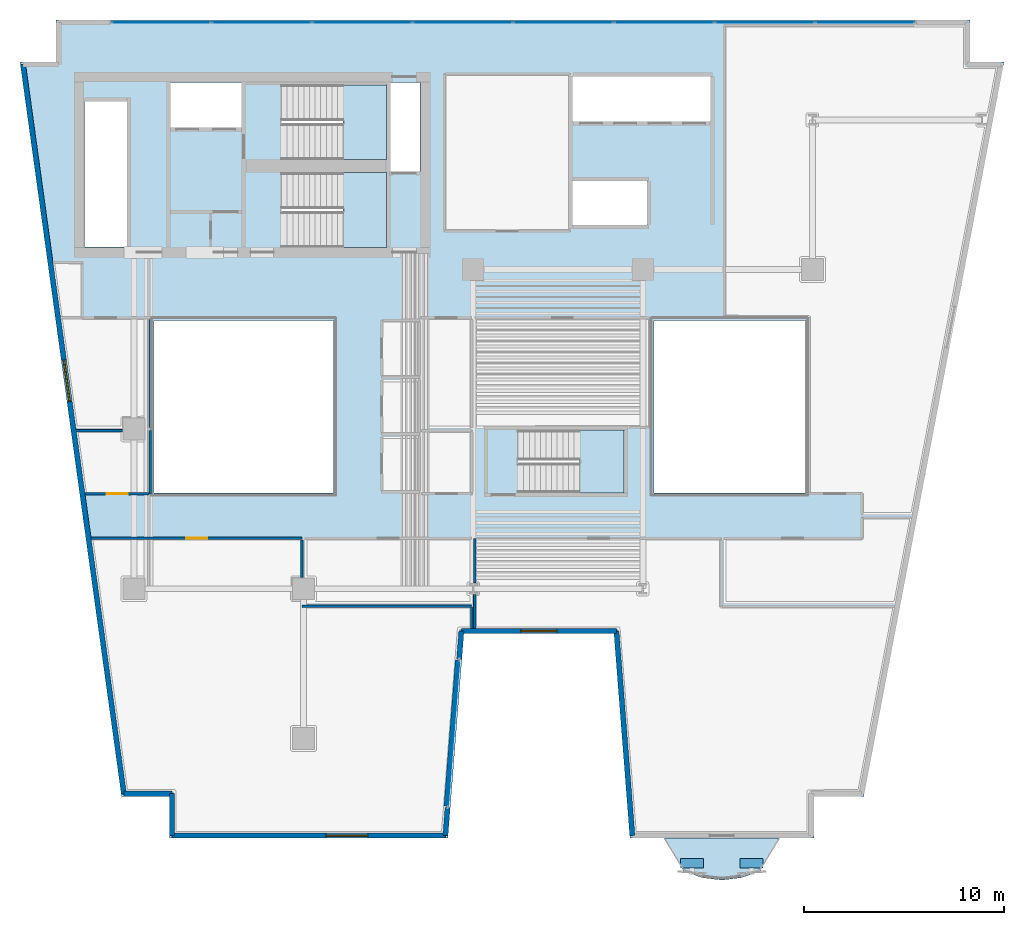
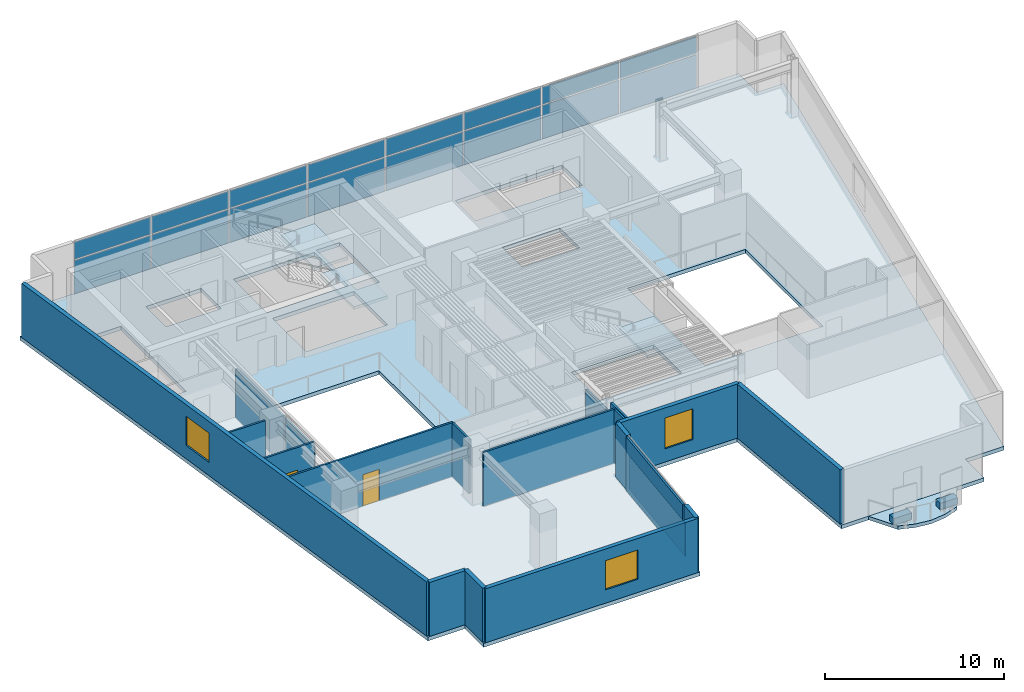
# One storey, part 5 of 12: 20 plates, 19 walls, 5 slabs, 3 windows, 2 doors, 5 openings, 5 elements without a shape of their own.
"""IFC4 building model written with IfcOpenShell, lengths in metres."""

from ifc_helpers import new_model, si_unit, direction, frame, frame_2d, origin, origin_2d, place, context, subcontext, project, spatial, polyline, rectangle, outline, extrude, material, layer, layer_set, type_object, element, fill, aggregate, save


model = new_model("IFC4")

# Units and contexts
model_context = context("Model", 3, precision=1e-05, world=origin(), true_north=direction((0.0, 1.0)))
body_context = subcontext(model_context, "Body", "Model", "MODEL_VIEW")
ifc_project = project(units=[si_unit("LENGTHUNIT", "METRE"), si_unit("AREAUNIT", "SQUARE_METRE"), si_unit("VOLUMEUNIT", "CUBIC_METRE"), si_unit("PLANEANGLEUNIT", "RADIAN"), si_unit("MASSUNIT", "GRAM", prefix="KILO")], contexts=[model_context])

# Site, building, storey
site_placement = place(None, origin())
site = spatial("IfcSite", under=ifc_project, at=site_placement, CompositionType="ELEMENT")
building_placement = place(site_placement, origin())
building = spatial("IfcBuilding", under=site, at=building_placement, Name="Caeloran Harvest Quay", CompositionType="ELEMENT")
storey_placement = place(building_placement, frame((0.0, 0.0, 119.300048828125)))
storey = spatial("IfcBuildingStorey", under=building, at=storey_placement, Name="L27", CompositionType="ELEMENT", Elevation=119.300048828125)

# Slab
ifc_material_1 = material(Name="Concrete C50/60", Category="concrete")
ifc_layer_1 = layer(ifc_material_1, 0.239990234375, Name="Concrete C50/60")
ifc_layer_set_1 = layer_set([ifc_layer_1], Name="Concrete C50/60")
slab_type_1 = type_object("IfcSlabType", Name="BALCONY-BL-240", PredefinedType="FLOOR", material=ifc_layer_set_1)
slab_1_placement = place(storey_placement, frame((0.0, 0.0, -0.239990234375)))
element("IfcSlab", 1, at=slab_1_placement, inside=storey, type_object=slab_type_1, Name="L27 Scalloped Cantilevered Planted Balcony Slab", PredefinedType="FLOOR", context=body_context, shape_type="SweptSolid", body=[
    extrude(outline(polyline([(39.869873046875, 0.839599609375), (38.913818359375, 0.51708984375), (37.95751953125, 0.39892578125), (37.001220703125, 0.51708984375), (36.045166015625, 0.839599609375), (35.100341796875, 2.5), (40.814697265625, 2.5), (39.869873046875, 0.839599609375)])), origin(), (0.0, 0.0, 1.0), 0.239990234375),
])

# Curtain wall, plates
ifc_material_2 = material(Name="Aluminium 6063-T6 and Low-E Glazing", Category="aluminium")
ifc_layer_2 = layer(ifc_material_2, 0.18994140625, Name="Aluminium 6063-T6 and Low-E Glazing")
ifc_layer_set_2 = layer_set([ifc_layer_2], Name="Aluminium 6063-T6 and Low-E Glazing")
curtain_wall_type = type_object("IfcCurtainWallType", Name="CW-SYS-CW-3", PredefinedType="USERDEFINED", material=ifc_layer_set_2)
curtain_wall_1_placement = place(storey_placement, origin())
curtain_wall_1 = element("IfcCurtainWall", 2, at=curtain_wall_1_placement, inside=storey, type_object=curtain_wall_type, Name="L27 Unitised Curtain Wall CW-3 Run 6", ObjectType="CURTAIN_WALL", PredefinedType="USERDEFINED")
ifc_material_3 = material(Name="Low-E Double Glazed Vision Glass Unit", Category="glass")
ifc_layer_3 = layer(ifc_material_3, 0.035888671875, Name="Low-E Double Glazed Vision Glass Unit")
ifc_layer_set_3 = layer_set([ifc_layer_3], Name="Low-E Double Glazed Vision Glass Unit")
plate_type_1 = type_object("IfcPlateType", Name="CW-VISION-PANEL", PredefinedType="CURTAIN_PANEL", material=ifc_layer_set_3)
plate_1_placement = place(storey_placement, frame((9.871337890625, 43.3701171875, 0.080078125), z_axis=(0.0, 0.0, 1.0), x_axis=(1.0, 0.0, 0.0)))
plate_1 = element("IfcPlate", 3, at=plate_1_placement, type_object=plate_type_1, Name="CW-3 panel 1.1", PredefinedType="CURTAIN_PANEL", context=body_context, shape_type="SweptSolid", body=[
    extrude(rectangle(XDim=4.922607421875, YDim=0.035888671875, at=origin_2d()), origin(), (0.0, 0.0, 1.0), 2.280029296875),
])
plate_2_placement = place(storey_placement, frame((9.871337890625, 43.3701171875, 2.43994140625), z_axis=(0.0, 0.0, 1.0), x_axis=(1.0, 0.0, 0.0)))
plate_2 = element("IfcPlate", 4, at=plate_2_placement, type_object=plate_type_1, Name="CW-3 panel 1.2", PredefinedType="CURTAIN_PANEL", context=body_context, shape_type="SweptSolid", body=[
    extrude(rectangle(XDim=4.922607421875, YDim=0.035888671875, at=origin_2d()), origin(), (0.0, 0.0, 1.0), 1.169921875),
])
plate_3_placement = place(storey_placement, frame((14.893798828125, 43.3701171875, 0.080078125), z_axis=(0.0, 0.0, 1.0), x_axis=(1.0, 0.0, 0.0)))
plate_3 = element("IfcPlate", 5, at=plate_3_placement, type_object=plate_type_1, Name="CW-3 panel 2.1", PredefinedType="CURTAIN_PANEL", context=body_context, shape_type="SweptSolid", body=[
    extrude(rectangle(XDim=4.96240234375, YDim=0.035888671875, at=origin_2d()), origin(), (0.0, 0.0, 1.0), 2.280029296875),
])
plate_4_placement = place(storey_placement, frame((14.893798828125, 43.3701171875, 2.43994140625), z_axis=(0.0, 0.0, 1.0), x_axis=(1.0, 0.0, 0.0)))
plate_4 = element("IfcPlate", 6, at=plate_4_placement, type_object=plate_type_1, Name="CW-3 panel 2.2", PredefinedType="CURTAIN_PANEL", context=body_context, shape_type="SweptSolid", body=[
    extrude(rectangle(XDim=4.96240234375, YDim=0.035888671875, at=origin_2d()), origin(), (0.0, 0.0, 1.0), 1.169921875),
])
plate_5_placement = place(storey_placement, frame((19.936279296875, 43.3701171875, 0.080078125), z_axis=(0.0, 0.0, 1.0), x_axis=(1.0, 0.0, 0.0)))
plate_5 = element("IfcPlate", 7, at=plate_5_placement, type_object=plate_type_1, Name="CW-3 panel 3.1", PredefinedType="CURTAIN_PANEL", context=body_context, shape_type="SweptSolid", body=[
    extrude(rectangle(XDim=4.96240234375, YDim=0.035888671875, at=origin_2d()), origin(), (0.0, 0.0, 1.0), 2.280029296875),
])
plate_6_placement = place(storey_placement, frame((19.936279296875, 43.3701171875, 2.43994140625), z_axis=(0.0, 0.0, 1.0), x_axis=(1.0, 0.0, 0.0)))
plate_6 = element("IfcPlate", 8, at=plate_6_placement, type_object=plate_type_1, Name="CW-3 panel 3.2", PredefinedType="CURTAIN_PANEL", context=body_context, shape_type="SweptSolid", body=[
    extrude(rectangle(XDim=4.96240234375, YDim=0.035888671875, at=origin_2d()), origin(), (0.0, 0.0, 1.0), 1.169921875),
])
plate_7_placement = place(storey_placement, frame((24.978759765625, 43.3701171875, 0.080078125), z_axis=(0.0, 0.0, 1.0), x_axis=(1.0, 0.0, 0.0)))
plate_7 = element("IfcPlate", 9, at=plate_7_placement, type_object=plate_type_1, Name="CW-3 panel 4.1", PredefinedType="CURTAIN_PANEL", context=body_context, shape_type="SweptSolid", body=[
    extrude(rectangle(XDim=4.96240234375, YDim=0.035888671875, at=origin_2d()), origin(), (0.0, 0.0, 1.0), 2.280029296875),
])
plate_8_placement = place(storey_placement, frame((24.978759765625, 43.3701171875, 2.43994140625), z_axis=(0.0, 0.0, 1.0), x_axis=(1.0, 0.0, 0.0)))
plate_8 = element("IfcPlate", 10, at=plate_8_placement, type_object=plate_type_1, Name="CW-3 panel 4.2", PredefinedType="CURTAIN_PANEL", context=body_context, shape_type="SweptSolid", body=[
    extrude(rectangle(XDim=4.96240234375, YDim=0.035888671875, at=origin_2d()), origin(), (0.0, 0.0, 1.0), 1.169921875),
])
plate_9_placement = place(storey_placement, frame((30.021240234375, 43.3701171875, 0.080078125), z_axis=(0.0, 0.0, 1.0), x_axis=(1.0, 0.0, 0.0)))
plate_9 = element("IfcPlate", 11, at=plate_9_placement, type_object=plate_type_1, Name="CW-3 panel 5.1", PredefinedType="CURTAIN_PANEL", context=body_context, shape_type="SweptSolid", body=[
    extrude(rectangle(XDim=4.96240234375, YDim=0.035888671875, at=origin_2d()), origin(), (0.0, 0.0, 1.0), 2.280029296875),
])
plate_10_placement = place(storey_placement, frame((30.021240234375, 43.3701171875, 2.43994140625), z_axis=(0.0, 0.0, 1.0), x_axis=(1.0, 0.0, 0.0)))
plate_10 = element("IfcPlate", 12, at=plate_10_placement, type_object=plate_type_1, Name="CW-3 panel 5.2", PredefinedType="CURTAIN_PANEL", context=body_context, shape_type="SweptSolid", body=[
    extrude(rectangle(XDim=4.96240234375, YDim=0.035888671875, at=origin_2d()), origin(), (0.0, 0.0, 1.0), 1.169921875),
])
plate_11_placement = place(storey_placement, frame((35.063720703125, 43.3701171875, 0.080078125), z_axis=(0.0, 0.0, 1.0), x_axis=(1.0, 0.0, 0.0)))
plate_11 = element("IfcPlate", 13, at=plate_11_placement, type_object=plate_type_1, Name="CW-3 panel 6.1", PredefinedType="CURTAIN_PANEL", context=body_context, shape_type="SweptSolid", body=[
    extrude(rectangle(XDim=4.96240234375, YDim=0.035888671875, at=origin_2d()), origin(), (0.0, 0.0, 1.0), 2.280029296875),
])
plate_12_placement = place(storey_placement, frame((35.063720703125, 43.3701171875, 2.43994140625), z_axis=(0.0, 0.0, 1.0), x_axis=(1.0, 0.0, 0.0)))
plate_12 = element("IfcPlate", 14, at=plate_12_placement, type_object=plate_type_1, Name="CW-3 panel 6.2", PredefinedType="CURTAIN_PANEL", context=body_context, shape_type="SweptSolid", body=[
    extrude(rectangle(XDim=4.96240234375, YDim=0.035888671875, at=origin_2d()), origin(), (0.0, 0.0, 1.0), 1.169921875),
])
plate_13_placement = place(storey_placement, frame((40.106201171875, 43.3701171875, 0.080078125), z_axis=(0.0, 0.0, 1.0), x_axis=(1.0, 0.0, 0.0)))
plate_13 = element("IfcPlate", 15, at=plate_13_placement, type_object=plate_type_1, Name="CW-3 panel 7.1", PredefinedType="CURTAIN_PANEL", context=body_context, shape_type="SweptSolid", body=[
    extrude(rectangle(XDim=4.96240234375, YDim=0.035888671875, at=origin_2d()), origin(), (0.0, 0.0, 1.0), 2.280029296875),
])
plate_14_placement = place(storey_placement, frame((40.106201171875, 43.3701171875, 2.43994140625), z_axis=(0.0, 0.0, 1.0), x_axis=(1.0, 0.0, 0.0)))
plate_14 = element("IfcPlate", 16, at=plate_14_placement, type_object=plate_type_1, Name="CW-3 panel 7.2", PredefinedType="CURTAIN_PANEL", context=body_context, shape_type="SweptSolid", body=[
    extrude(rectangle(XDim=4.96240234375, YDim=0.035888671875, at=origin_2d()), origin(), (0.0, 0.0, 1.0), 1.169921875),
])
plate_15_placement = place(storey_placement, frame((45.128662109375, 43.3701171875, 0.080078125), z_axis=(0.0, 0.0, 1.0), x_axis=(1.0, 0.0, 0.0)))
plate_15 = element("IfcPlate", 17, at=plate_15_placement, type_object=plate_type_1, Name="CW-3 panel 8.1", PredefinedType="CURTAIN_PANEL", context=body_context, shape_type="SweptSolid", body=[
    extrude(rectangle(XDim=4.922607421875, YDim=0.035888671875, at=origin_2d()), origin(), (0.0, 0.0, 1.0), 2.280029296875),
])
plate_16_placement = place(storey_placement, frame((45.128662109375, 43.3701171875, 2.43994140625), z_axis=(0.0, 0.0, 1.0), x_axis=(1.0, 0.0, 0.0)))
plate_16 = element("IfcPlate", 18, at=plate_16_placement, type_object=plate_type_1, Name="CW-3 panel 8.2", PredefinedType="CURTAIN_PANEL", context=body_context, shape_type="SweptSolid", body=[
    extrude(rectangle(XDim=4.922607421875, YDim=0.035888671875, at=origin_2d()), origin(), (0.0, 0.0, 1.0), 1.169921875),
])
aggregate(curtain_wall_1, [plate_1, plate_2, plate_3, plate_4, plate_5, plate_6, plate_7, plate_8, plate_9, plate_10, plate_11, plate_12, plate_13, plate_14, plate_15, plate_16])

curtain_wall_2_placement = place(storey_placement, origin())
curtain_wall_2 = element("IfcCurtainWall", 19, at=curtain_wall_2_placement, inside=storey, type_object=curtain_wall_type, Name="L27 Unitised Curtain Wall CW-3 Run 15", ObjectType="CURTAIN_WALL", PredefinedType="USERDEFINED")
plate_17_placement = place(storey_placement, frame((24.509765625, 7.7548828125, 0.080078125), z_axis=(0.0, 0.0, 1.0), x_axis=(-0.077821861046, -0.996967280277, 0.0)))
plate_17 = element("IfcPlate", 20, at=plate_17_placement, type_object=plate_type_1, Name="CW-3 panel 1.1", PredefinedType="CURTAIN_PANEL", context=body_context, shape_type="SweptSolid", body=[
    extrude(rectangle(XDim=7.3212890625, YDim=0.035888671875, at=origin_2d()), origin(), (0.0, 0.0, 1.0), 2.280029296875),
])
plate_18_placement = place(storey_placement, frame((24.509765625, 7.7548828125, 2.43994140625), z_axis=(0.0, 0.0, 1.0), x_axis=(-0.077821861046, -0.996967280277, 0.0)))
plate_18 = element("IfcPlate", 21, at=plate_18_placement, type_object=plate_type_1, Name="CW-3 panel 1.2", PredefinedType="CURTAIN_PANEL", context=body_context, shape_type="SweptSolid", body=[
    extrude(rectangle(XDim=7.3212890625, YDim=0.035888671875, at=origin_2d()), origin(), (0.0, 0.0, 1.0), 1.169921875),
])
aggregate(curtain_wall_2, [plate_17, plate_18])

# Plates
ifc_material_4 = material(Name="Precast concrete C50/60", Category="concrete")
ifc_layer_4 = layer(ifc_material_4, 0.449951171875, Name="Precast concrete C50/60")
ifc_layer_set_4 = layer_set([ifc_layer_4], Name="Precast concrete C50/60")
plate_type_2 = type_object("IfcPlateType", Name="PLANTER-TROUGH-450", PredefinedType="USERDEFINED", material=ifc_layer_set_4)
for number, where, z_axis, x_axis, name in (
    (22, (39.44921875, 1.246826171875, 0.0), (0.0, 0.0, 1.0), (1.0, 0.0, 0.0), "L27 Balcony Vertical-Greenery Precast PLANTER Trough 1"),
    (23, (36.4658203125, 1.246826171875, 0.0), (0.0, 0.0, 1.0), (1.0, 0.0, 0.0), "L27 Balcony Vertical-Greenery Precast PLANTER Trough 2"),
):
    element("IfcPlate", number, at=place(storey_placement, frame(where, z_axis=z_axis, x_axis=x_axis)), inside=storey, type_object=plate_type_2, Name=name, ObjectType="PLANTER", PredefinedType="USERDEFINED", context=body_context, shape_type="SweptSolid", body=[
        extrude(rectangle(XDim=1.14990234375, YDim=0.47998046875, at=origin_2d()), origin(), (0.0, 0.0, 1.0), 0.449951171875),
    ])

# Slab
ifc_layer_5 = layer(ifc_material_1, 0.260009765625, Name="Concrete C50/60")
ifc_layer_set_5 = layer_set([ifc_layer_5], Name="Concrete C50/60")
slab_type_2 = type_object("IfcSlabType", Name="SLAB-FS-260", PredefinedType="FLOOR", material=ifc_layer_set_5)
slab_2_placement = place(storey_placement, frame((0.0, 0.0, -0.260009765625)))
element("IfcSlab", 24, at=slab_2_placement, inside=storey, type_object=slab_type_2, Name="L27 Structural Floor Slab", PredefinedType="FLOOR", context=body_context, shape_type="SweptSolid", body=[
    extrude(outline(polyline([(10.27001953125, 2.5), (24.22998046875, 2.5), (25.030029296875, 12.75), (32.554931640625, 12.75), (33.35498046875, 2.5), (42.570068359375, 2.5), (42.570068359375, 4.60009765625), (45.071044921875, 4.60009765625), (52.09912109375, 41.39990234375), (50.39990234375, 41.39990234375), (50.39990234375, 43.5), (4.60009765625, 43.5), (4.60009765625, 41.39990234375), (2.790283203125, 41.39990234375), (7.879638671875, 4.60009765625), (10.27001953125, 4.60009765625), (10.27001953125, 2.5)]), holes=[polyline([(27.75, 19.800048828125), (27.75, 22.949951171875), (33.050048828125, 22.949951171875), (33.050048828125, 19.800048828125), (27.75, 19.800048828125)]), polyline([(18.5, 19.800048828125), (9.5, 19.800048828125), (9.5, 28.449951171875), (18.5, 28.449951171875), (18.5, 19.800048828125)]), polyline([(42.14990234375, 19.800048828125), (34.550048828125, 19.800048828125), (34.550048828125, 28.449951171875), (42.14990234375, 28.449951171875), (42.14990234375, 19.800048828125)]), polyline([(15.89990234375, 35.85009765625), (21.14990234375, 35.85009765625), (21.14990234375, 32.10009765625), (15.89990234375, 32.10009765625), (15.89990234375, 35.85009765625)]), polyline([(30.47998046875, 33.219970703125), (30.47998046875, 35.429931640625), (34.199951171875, 35.429931640625), (34.199951171875, 33.219970703125), (30.47998046875, 33.219970703125)]), polyline([(8.159912109375, 32.1201171875), (6.02001953125, 32.1201171875), (6.02001953125, 39.419921875), (8.159912109375, 39.419921875), (8.159912109375, 32.1201171875)]), polyline([(22.830078125, 35.919921875), (21.35009765625, 35.919921875), (21.35009765625, 40.3798828125), (22.830078125, 40.3798828125), (22.830078125, 35.919921875)]), polyline([(15.89990234375, 36.5), (15.89990234375, 40.25), (21.14990234375, 40.25), (21.14990234375, 36.5), (15.89990234375, 36.5)]), polyline([(10.320068359375, 38.1201171875), (10.320068359375, 40.3798828125), (13.89990234375, 40.3798828125), (13.89990234375, 38.1201171875), (10.320068359375, 38.1201171875)]), polyline([(30.47998046875, 38.419921875), (30.47998046875, 40.679931640625), (37.3798828125, 40.679931640625), (37.3798828125, 38.419921875), (30.47998046875, 38.419921875)])]), origin(), (0.0, 0.0, 1.0), 0.260009765625),
])

# Stair, slab
stair_type_1 = type_object("IfcStairType", Name="STAIR-STC-180", PredefinedType="HALF_TURN_STAIR", material=ifc_material_1)
stair_1_placement = place(storey_placement, origin())
stair_1 = element("IfcStair", 25, at=stair_1_placement, inside=storey, type_object=stair_type_1, Name="L27 Core Pressurized Exit Stair ST-C1", PredefinedType="HALF_TURN_STAIR")
ifc_layer_6 = layer(ifc_material_1, 0.219970703125, Name="Concrete C50/60")
ifc_layer_set_6 = layer_set([ifc_layer_6], Name="Concrete C50/60")
slab_type_3 = type_object("IfcSlabType", Name="STAIR-LANDING-220", PredefinedType="LANDING", material=ifc_layer_set_6)
slab_3_placement = place(storey_placement, frame((0.0, 0.0, 1.77490234375)))
slab_3 = element("IfcSlab", 26, at=slab_3_placement, type_object=slab_type_3, Name="ST-C1 landing 1", PredefinedType="LANDING", context=body_context, shape_type="SweptSolid", body=[
    extrude(outline(polyline([(18.97998046875, 36.5), (21.14990234375, 36.5), (21.14990234375, 40.25), (18.97998046875, 40.25), (18.97998046875, 36.5)])), origin(), (0.0, 0.0, 1.0), 0.199951171875),
])
aggregate(stair_1, [slab_3])

stair_2_placement = place(storey_placement, origin())
stair_2 = element("IfcStair", 27, at=stair_2_placement, inside=storey, type_object=stair_type_1, Name="L27 Core Pressurized Exit Stair ST-C2", PredefinedType="HALF_TURN_STAIR")
slab_4_placement = place(storey_placement, frame((0.0, 0.0, 1.77490234375)))
slab_4 = element("IfcSlab", 28, at=slab_4_placement, type_object=slab_type_3, Name="ST-C2 landing 1", PredefinedType="LANDING", context=body_context, shape_type="SweptSolid", body=[
    extrude(outline(polyline([(18.97998046875, 32.10009765625), (21.14990234375, 32.10009765625), (21.14990234375, 35.85009765625), (18.97998046875, 35.85009765625), (18.97998046875, 32.10009765625)])), origin(), (0.0, 0.0, 1.0), 0.199951171875),
])
aggregate(stair_2, [slab_4])

stair_type_2 = type_object("IfcStairType", Name="STAIR-STW-150", PredefinedType="HALF_TURN_STAIR", material=ifc_material_1)
stair_3_placement = place(storey_placement, origin())
stair_3 = element("IfcStair", 29, at=stair_3_placement, inside=storey, type_object=stair_type_2, Name="L27 East Wing Protected Exit Stair ST-W1", PredefinedType="HALF_TURN_STAIR")
slab_5_placement = place(storey_placement, frame((0.0, 0.0, 1.77490234375)))
slab_5 = element("IfcSlab", 30, at=slab_5_placement, type_object=slab_type_3, Name="ST-W1 landing 1", PredefinedType="LANDING", context=body_context, shape_type="SweptSolid", body=[
    extrude(outline(polyline([(30.830078125, 19.800048828125), (33.050048828125, 19.800048828125), (33.050048828125, 22.949951171875), (30.830078125, 22.949951171875), (30.830078125, 19.800048828125)])), origin(), (0.0, 0.0, 1.0), 0.199951171875),
])
aggregate(stair_3, [slab_5])

# Walls
ifc_layer_7 = layer(ifc_material_4, 0.260009765625, Name="Precast concrete C50/60")
ifc_layer_set_7 = layer_set([ifc_layer_7], Name="Precast concrete C50/60")
wall_type_1 = type_object("IfcWallType", Name="ENV-WALL-EW-260", PredefinedType="STANDARD", material=ifc_layer_set_7)
wall_1_placement = place(storey_placement, frame((10.39990234375, 2.6298828125, 0.0), z_axis=(0.0, 0.0, 1.0), x_axis=(0.0, 1.0, 0.0)))
element("IfcWall", 31, at=wall_1_placement, inside=storey, type_object=wall_type_1, Name="L27 Exterior Precast Concrete Facade Wall 1", PredefinedType="STANDARD", context=body_context, shape_type="SweptSolid", body=[
    extrude(rectangle(XDim=2.10009765625, YDim=0.260009765625, at=frame_2d((1.050048828125, 0.0))), origin(), (0.0, 0.0, 1.0), 3.68994140625),
])
wall_2_placement = place(storey_placement, frame((10.39990234375, 4.72998046875, 0.0), z_axis=(0.0, 0.0, 1.0), x_axis=(-1.0, 0.0, 0.0)))
element("IfcWall", 32, at=wall_2_placement, inside=storey, type_object=wall_type_1, Name="L27 Exterior Precast Concrete Facade Wall 2", PredefinedType="STANDARD", context=body_context, shape_type="SweptSolid", body=[
    extrude(rectangle(XDim=2.406982421875, YDim=0.260009765625, at=frame_2d((1.20361328125, 0.0))), origin(), (0.0, 0.0, 1.0), 3.68994140625),
])

# Wall, opening, window
wall_3_placement = place(storey_placement, frame((7.992919921875, 4.72998046875, 0.0), z_axis=(0.0, 0.0, 1.0), x_axis=(-0.136989009016, 0.990572567462, 0.0)))
wall_3 = element("IfcWall", 33, at=wall_3_placement, inside=storey, type_object=wall_type_1, Name="L27 Exterior Precast Concrete Facade Wall 3", PredefinedType="STANDARD", context=body_context, shape_type="SweptSolid", body=[
    extrude(rectangle(XDim=36.8876953125, YDim=0.260009765625, at=frame_2d((18.44384765625, 0.0))), origin(), (0.0, 0.0, 1.0), 3.68994140625),
])
opening_1_placement = place(wall_3_placement, frame((19.8388671875, 0.0, 0.89990234375)))
opening_1 = element("IfcOpeningElement", 34, at=opening_1_placement, cuts=wall_3, Name="Opening W-06", PredefinedType="OPENING", context=body_context, shape_type="SweptSolid", body=[
    extrude(rectangle(XDim=2.10009765625, YDim=2.0, at=frame_2d((1.050048828125, 1.0))), frame((0.0, 0.14013671875, 0.0), z_axis=(0.0, -1.0, 0.0), x_axis=(1.0, 0.0, 0.0)), (0.0, 0.0, 1.0), 0.280029296875),
])
ifc_material_5 = material(Name="Aluminium-Framed Low-E Laminated Glass", Category="aluminium")
window_type_1 = type_object("IfcWindowType", Name="WIN-W-06", PartitioningType="DOUBLE_PANEL_VERTICAL", PredefinedType="WINDOW", material=ifc_material_5)
window_1_placement = place(opening_1_placement, origin())
window_1 = element("IfcWindow", 35, at=window_1_placement, inside=storey, type_object=window_type_1, Name="L27 Facade Punched Window W-06", OverallHeight=2.0, OverallWidth=2.10009765625, PartitioningType="DOUBLE_PANEL_VERTICAL", PredefinedType="WINDOW", context=body_context, shape_type="SweptSolid", body=[
    extrude(rectangle(XDim=2.10009765625, YDim=2.0, at=frame_2d((1.050048828125, 1.0))), frame((0.0, 0.030029296875, 0.0), z_axis=(0.0, -1.0, 0.0), x_axis=(1.0, 0.0, 0.0)), (0.0, 0.0, 1.0), 0.06005859375),
])
fill(opening_1, window_1)

# Wall
wall_4_placement = place(storey_placement, frame((33.47509765625, 2.6298828125, 0.0), z_axis=(0.0, 0.0, 1.0), x_axis=(-0.077793257511, 0.996969512616, 0.0)))
element("IfcWall", 36, at=wall_4_placement, inside=storey, type_object=wall_type_1, Name="L27 Exterior Precast Concrete Facade Wall 13", PredefinedType="STANDARD", context=body_context, shape_type="SweptSolid", body=[
    extrude(rectangle(XDim=10.28125, YDim=0.260009765625, at=frame_2d((5.140625, 0.0))), origin(), (0.0, 0.0, 1.0), 3.68994140625),
])

# Wall, opening, window
wall_5_placement = place(storey_placement, frame((32.67529296875, 12.8798828125, 0.0), z_axis=(0.0, 0.0, 1.0), x_axis=(-1.0, 0.0, 0.0)))
wall_5 = element("IfcWall", 37, at=wall_5_placement, inside=storey, type_object=wall_type_1, Name="L27 Exterior Precast Concrete Facade Wall 14", PredefinedType="STANDARD", context=body_context, shape_type="SweptSolid", body=[
    extrude(rectangle(XDim=7.765380859375, YDim=0.260009765625, at=frame_2d((3.8828125, 0.0))), origin(), (0.0, 0.0, 1.0), 3.68994140625),
])
opening_2_placement = place(wall_5_placement, frame((2.98291015625, 0.0, 0.89990234375)))
opening_2 = element("IfcOpeningElement", 38, at=opening_2_placement, cuts=wall_5, Name="Opening W-01", PredefinedType="OPENING", context=body_context, shape_type="SweptSolid", body=[
    extrude(rectangle(XDim=1.800048828125, YDim=2.10009765625, at=frame_2d((0.89990234375, 1.050048828125))), frame((0.0, 0.14013671875, 0.0), z_axis=(0.0, -1.0, 0.0), x_axis=(1.0, 0.0, 0.0)), (0.0, 0.0, 1.0), 0.280029296875),
])
window_type_2 = type_object("IfcWindowType", Name="WIN-W-01", PartitioningType="SINGLE_PANEL", PredefinedType="WINDOW", material=ifc_material_5)
window_2_placement = place(opening_2_placement, origin())
window_2 = element("IfcWindow", 39, at=window_2_placement, inside=storey, type_object=window_type_2, Name="L27 Facade Punched Window W-01", OverallHeight=2.10009765625, OverallWidth=1.800048828125, PartitioningType="SINGLE_PANEL", PredefinedType="WINDOW", context=body_context, shape_type="SweptSolid", body=[
    extrude(rectangle(XDim=1.800048828125, YDim=2.10009765625, at=frame_2d((0.89990234375, 1.050048828125))), frame((0.0, 0.030029296875, 0.0), z_axis=(0.0, -1.0, 0.0), x_axis=(1.0, 0.0, 0.0)), (0.0, 0.0, 1.0), 0.06005859375),
])
fill(opening_2, window_2)

# Walls
for number, where, z_axis, x_axis, name in (
    (40, (24.909912109375, 12.8798828125, 0.0), (0.0, 0.0, 1.0), (-0.077949956455, -0.996957273051, 0.0), "L27 Exterior Facade Corner Pier Wall 15A"),
    (41, (24.21875, 4.025634765625, 0.0), (0.0, 0.0, 1.0), (-0.077776627829, -0.996970810086, 0.0), "L27 Exterior Facade Corner Pier Wall 15B"),
):
    element("IfcWall", number, at=place(storey_placement, frame(where, z_axis=z_axis, x_axis=x_axis)), inside=storey, type_object=wall_type_1, Name=name, PredefinedType="STANDARD", context=body_context, shape_type="SweptSolid", body=[
        extrude(rectangle(XDim=1.39990234375, YDim=0.260009765625, at=frame_2d((0.699951171875, 0.0))), origin(), (0.0, 0.0, 1.0), 3.68994140625),
    ])

# Wall, opening, window
wall_6_placement = place(storey_placement, frame((24.10986328125, 2.6298828125, 0.0), z_axis=(0.0, 0.0, 1.0), x_axis=(-1.0, 0.0, 0.0)))
wall_6 = element("IfcWall", 42, at=wall_6_placement, inside=storey, type_object=wall_type_1, Name="L27 Exterior Precast Concrete Facade Wall 16", PredefinedType="STANDARD", context=body_context, shape_type="SweptSolid", body=[
    extrude(rectangle(XDim=13.7099609375, YDim=0.260009765625, at=frame_2d((6.85498046875, 0.0))), origin(), (0.0, 0.0, 1.0), 3.68994140625),
])
opening_3_placement = place(wall_6_placement, frame((3.885986328125, 0.0, 0.89990234375)))
opening_3 = element("IfcOpeningElement", 43, at=opening_3_placement, cuts=wall_6, Name="Opening W-06", PredefinedType="OPENING", context=body_context, shape_type="SweptSolid", body=[
    extrude(rectangle(XDim=2.10009765625, YDim=2.0, at=frame_2d((1.050048828125, 1.0))), frame((0.0, 0.14013671875, 0.0), z_axis=(0.0, -1.0, 0.0), x_axis=(1.0, 0.0, 0.0)), (0.0, 0.0, 1.0), 0.280029296875),
])
window_3_placement = place(opening_3_placement, origin())
window_3 = element("IfcWindow", 44, at=window_3_placement, inside=storey, type_object=window_type_1, Name="L27 Facade Punched Window W-06", OverallHeight=2.0, OverallWidth=2.10009765625, PartitioningType="DOUBLE_PANEL_VERTICAL", PredefinedType="WINDOW", context=body_context, shape_type="SweptSolid", body=[
    extrude(rectangle(XDim=2.10009765625, YDim=2.0, at=frame_2d((1.050048828125, 1.0))), frame((0.0, 0.030029296875, 0.0), z_axis=(0.0, -1.0, 0.0), x_axis=(1.0, 0.0, 0.0)), (0.0, 0.0, 1.0), 0.06005859375),
])
fill(opening_3, window_3)

# Wall, opening, door
ifc_material_6 = material(Name="Twin-Stud Mineral-Wool Acoustic Gypsum Partition", Category="gypsum")
ifc_layer_8 = layer(ifc_material_6, 0.125, Name="Twin-Stud Mineral-Wool Acoustic Gypsum Partition")
ifc_layer_set_8 = layer_set([ifc_layer_8], Name="Twin-Stud Mineral-Wool Acoustic Gypsum Partition")
wall_type_2 = type_object("IfcWallType", Name="INT-WALL-PW-125", PredefinedType="PARTITIONING", material=ifc_layer_set_8)
wall_7_placement = place(storey_placement, frame((6.3603515625, 17.52001953125, 0.0), z_axis=(0.0, 0.0, 1.0), x_axis=(1.0, 0.0, 0.0)))
wall_7 = element("IfcWall", 45, at=wall_7_placement, inside=storey, type_object=wall_type_2, Name="Agri-Robotics Open Research Workspace Partition Wall", PredefinedType="PARTITIONING", context=body_context, shape_type="SweptSolid", body=[
    extrude(rectangle(XDim=10.5595703125, YDim=0.125, at=frame_2d((5.27978515625, 0.0))), origin(), (0.0, 0.0, 1.0), 3.68994140625),
])
opening_4_placement = place(wall_7_placement, frame((4.7548828125, 0.0, 0.0)))
opening_4 = element("IfcOpeningElement", 46, at=opening_4_placement, cuts=wall_7, Name="Opening ID-03", PredefinedType="OPENING", context=body_context, shape_type="SweptSolid", body=[
    extrude(rectangle(XDim=1.050048828125, YDim=2.14990234375, at=frame_2d((0.52490234375, 1.074951171875))), frame((0.0, 0.072509765625, 0.0), z_axis=(0.0, -1.0, 0.0), x_axis=(1.0, 0.0, 0.0)), (0.0, 0.0, 1.0), 0.14501953125),
])
ifc_material_7 = material(Name="FSC Solid-Core Oak Timber Leaf", Category="wood")
door_type = type_object("IfcDoorType", Name="INTDOOR-ID-03", OperationType="NOTDEFINED", PredefinedType="DOOR", material=ifc_material_7)
door_1_placement = place(opening_4_placement, origin())
door_1 = element("IfcDoor", 47, at=door_1_placement, inside=storey, type_object=door_type, Name="Agri-Robotics Open Research Workspace Access Door", OperationType="SINGLE_SWING_LEFT", OverallHeight=2.14990234375, OverallWidth=1.050048828125, PredefinedType="DOOR", context=body_context, shape_type="SweptSolid", body=[
    extrude(rectangle(XDim=1.050048828125, YDim=2.14990234375, at=frame_2d((0.52490234375, 1.074951171875))), frame((0.0, 0.02490234375, 0.0), z_axis=(0.0, -1.0, 0.0), x_axis=(1.0, 0.0, 0.0)), (0.0, 0.0, 1.0), 0.050048828125),
])
fill(opening_4, door_1)

# Walls
wall_8_placement = place(storey_placement, frame((16.919921875, 17.452392578125, 0.0), z_axis=(0.0, 0.0, 1.0), x_axis=(0.0, -1.0, 0.0)))
element("IfcWall", 48, at=wall_8_placement, inside=storey, type_object=wall_type_2, Name="Agri-Robotics Open Research Workspace Partition Wall", PredefinedType="PARTITIONING", context=body_context, shape_type="SweptSolid", body=[
    extrude(rectangle(XDim=1.87744140625, YDim=0.125, at=frame_2d((0.938720703125, 0.0))), origin(), (0.0, 0.0, 1.0), 3.68994140625),
])
wall_9_placement = place(storey_placement, frame((16.919921875, 14.1201171875, 0.0), z_axis=(0.0, 0.0, 1.0), x_axis=(1.0, 0.0, 0.0)))
element("IfcWall", 49, at=wall_9_placement, inside=storey, type_object=wall_type_2, Name="Agri-Robotics Open Research Workspace Partition Wall", PredefinedType="PARTITIONING", context=body_context, shape_type="SweptSolid", body=[
    extrude(rectangle(XDim=8.5, YDim=0.125, at=frame_2d((4.25, 0.0))), origin(), (0.0, 0.0, 1.0), 3.68994140625),
])
wall_10_placement = place(storey_placement, frame((25.419921875, 14.052490234375, 0.0), z_axis=(0.0, 0.0, 1.0), x_axis=(0.0, -1.0, 0.0)))
element("IfcWall", 50, at=wall_10_placement, inside=storey, type_object=wall_type_2, Name="Agri-Robotics Open Research Workspace Partition Wall", PredefinedType="PARTITIONING", context=body_context, shape_type="SweptSolid", body=[
    extrude(rectangle(XDim=1.03759765625, YDim=0.125, at=frame_2d((0.518798828125, 0.0))), origin(), (0.0, 0.0, 1.0), 3.68994140625),
])
wall_11_placement = place(storey_placement, frame((24.665771484375, 11.419921875, 0.0), z_axis=(0.0, 0.0, 1.0), x_axis=(-0.077816821526, -0.996967673642, 0.0)))
element("IfcWall", 51, at=wall_11_placement, inside=storey, type_object=wall_type_2, Name="Agri-Robotics Open Research Workspace Partition Wall", PredefinedType="PARTITIONING", context=body_context, shape_type="SweptSolid", body=[
    extrude(rectangle(XDim=7.33203125, YDim=0.125, at=frame_2d((3.666015625, 0.0))), origin(), (0.0, 0.0, 1.0), 3.68994140625),
])
wall_12_placement = place(storey_placement, frame((25.580078125, 13.014892578125, 0.0), z_axis=(0.0, 0.0, 1.0), x_axis=(0.0, 1.0, 0.0)))
element("IfcWall", 52, at=wall_12_placement, inside=storey, type_object=wall_type_2, Name="Crop Genomics Wet Laboratory Partition Wall", PredefinedType="PARTITIONING", context=body_context, shape_type="SweptSolid", body=[
    extrude(rectangle(XDim=1.703125, YDim=0.125, at=frame_2d((0.8515625, 0.0))), origin(), (0.0, 0.0, 1.0), 3.68994140625),
])
wall_13_placement = place(storey_placement, frame((25.580078125, 15.281982421875, 0.0), z_axis=(0.0, 0.0, 1.0), x_axis=(0.0, 1.0, 0.0)))
element("IfcWall", 53, at=wall_13_placement, inside=storey, type_object=wall_type_2, Name="Crop Genomics Wet Laboratory Partition Wall", PredefinedType="PARTITIONING", context=body_context, shape_type="SweptSolid", body=[
    extrude(rectangle(XDim=2.238037109375, YDim=0.125, at=frame_2d((1.119140625, 0.0))), origin(), (0.0, 0.0, 1.0), 2.875),
])
wall_14_placement = place(storey_placement, frame((9.320068359375, 22.919921875, 0.0), z_axis=(0.0, 0.0, 1.0), x_axis=(0.0, -1.0, 0.0)))
element("IfcWall", 54, at=wall_14_placement, inside=storey, type_object=wall_type_2, Name="Collaborators Tea Lounge Partition Wall", PredefinedType="PARTITIONING", context=body_context, shape_type="SweptSolid", body=[
    extrude(rectangle(XDim=3.169921875, YDim=0.125, at=frame_2d((1.5849609375, 0.0))), origin(), (0.0, 0.0, 1.0), 3.31494140625),
])

# Wall, opening, door
wall_15_placement = place(storey_placement, frame((9.25244140625, 19.75, 0.0), z_axis=(0.0, 0.0, 1.0), x_axis=(-1.0, 0.0, 0.0)))
wall_15 = element("IfcWall", 55, at=wall_15_placement, inside=storey, type_object=wall_type_2, Name="Collaborators Tea Lounge Partition Wall", PredefinedType="PARTITIONING", context=body_context, shape_type="SweptSolid", body=[
    extrude(rectangle(XDim=3.200439453125, YDim=0.125, at=frame_2d((1.60009765625, 0.0))), origin(), (0.0, 0.0, 1.0), 3.68994140625),
])
opening_5_placement = place(wall_15_placement, frame((1.0751953125, 0.0, 0.0)))
opening_5 = element("IfcOpeningElement", 56, at=opening_5_placement, cuts=wall_15, Name="Opening ID-03", PredefinedType="OPENING", context=body_context, shape_type="SweptSolid", body=[
    extrude(rectangle(XDim=1.050048828125, YDim=2.14990234375, at=frame_2d((0.52490234375, 1.074951171875))), frame((0.0, 0.072509765625, 0.0), z_axis=(0.0, -1.0, 0.0), x_axis=(1.0, 0.0, 0.0)), (0.0, 0.0, 1.0), 0.14501953125),
])
door_2_placement = place(opening_5_placement, origin())
door_2 = element("IfcDoor", 57, at=door_2_placement, inside=storey, type_object=door_type, Name="Collaborators Tea Lounge Access Door", OperationType="SINGLE_SWING_RIGHT", OverallHeight=2.14990234375, OverallWidth=1.050048828125, PredefinedType="DOOR", context=body_context, shape_type="SweptSolid", body=[
    extrude(rectangle(XDim=1.050048828125, YDim=2.14990234375, at=frame_2d((0.52490234375, 1.074951171875))), frame((0.0, 0.02490234375, 0.0), z_axis=(0.0, -1.0, 0.0), x_axis=(1.0, 0.0, 0.0)), (0.0, 0.0, 1.0), 0.050048828125),
])
fill(opening_5, door_2)

# Walls
wall_16_placement = place(storey_placement, frame((5.613525390625, 22.919921875, 0.0), z_axis=(0.0, 0.0, 1.0), x_axis=(1.0, 0.0, 0.0)))
element("IfcWall", 58, at=wall_16_placement, inside=storey, type_object=wall_type_2, Name="Collaborators Tea Lounge Partition Wall", PredefinedType="PARTITIONING", context=body_context, shape_type="SweptSolid", body=[
    extrude(rectangle(XDim=2.3115234375, YDim=0.125, at=frame_2d((1.15576171875, 0.0))), origin(), (0.0, 0.0, 1.0), 3.68994140625),
])
wall_17_placement = place(storey_placement, frame((9.320068359375, 28.50244140625, 0.0), z_axis=(0.0, 0.0, 1.0), x_axis=(0.0, -1.0, 0.0)))
element("IfcWall", 59, at=wall_17_placement, inside=storey, type_object=wall_type_2, Name="Crop Genomics Wet Laboratory 9 Partition Wall", PredefinedType="PARTITIONING", context=body_context, shape_type="SweptSolid", body=[
    extrude(rectangle(XDim=5.42236328125, YDim=0.125, at=frame_2d((2.711181640625, 0.0))), origin(), (0.0, 0.0, 1.0), 3.31494140625),
])

save(model, "model.ifc")
